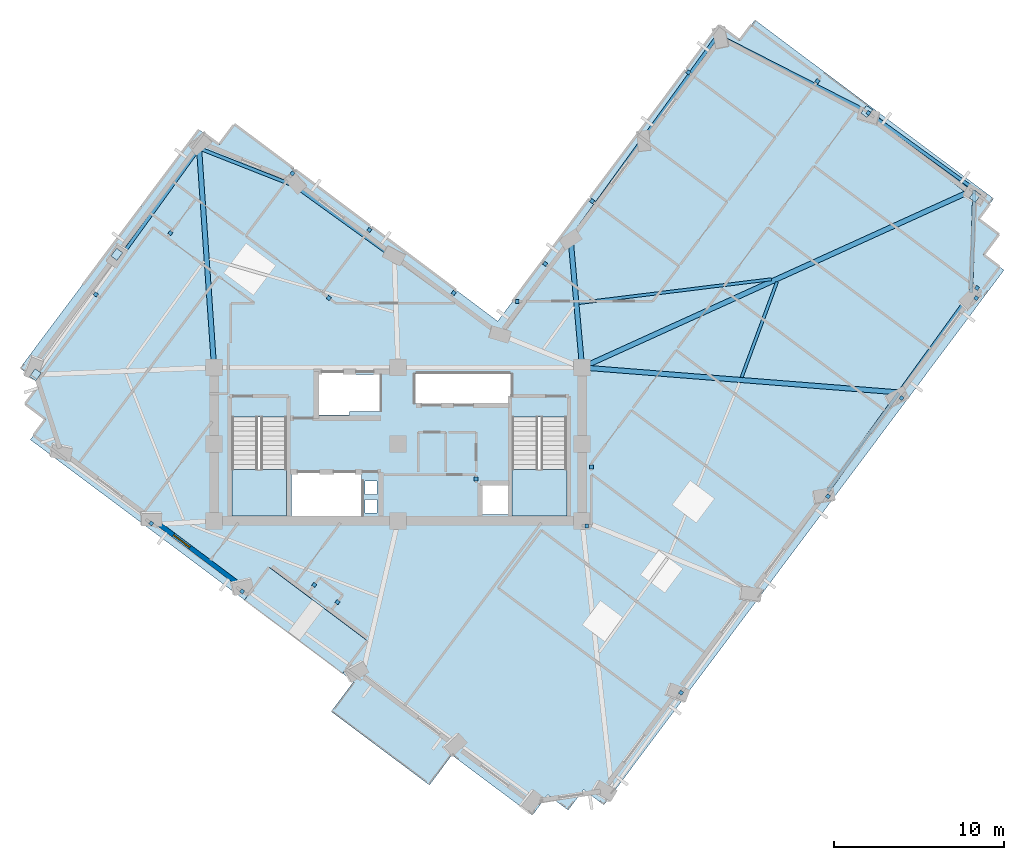
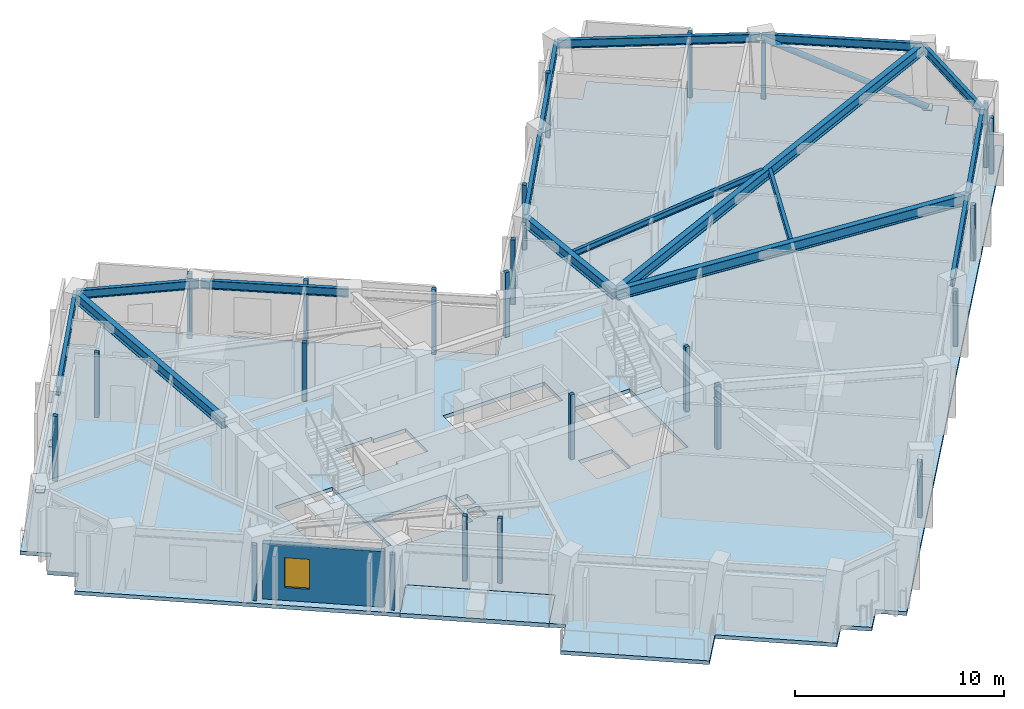
# One storey, part 2 of 12: 28 plates, 16 beams, 4 slabs, 1 member, 1 wall, 1 window, 1 opening, 2 elements without a shape of their own.
"""IFC4 building model written with IfcOpenShell, lengths in metres."""

from ifc_helpers import new_model, si_unit, direction, frame, frame_2d, origin, origin_2d, place, context, subcontext, project, spatial, polyline, rectangle, hollow_circle, i_section, outline, extrude, material, layer, layer_set, material_profile, profile_set, type_object, element, fill, aggregate, save


model = new_model("IFC4")

# Units and contexts
model_context = context("Model", 3, precision=1e-05, world=origin(), true_north=direction((0.0, 1.0)))
body_context = subcontext(model_context, "Body", "Model", "MODEL_VIEW")
ifc_project = project(units=[si_unit("LENGTHUNIT", "METRE"), si_unit("AREAUNIT", "SQUARE_METRE"), si_unit("VOLUMEUNIT", "CUBIC_METRE"), si_unit("PLANEANGLEUNIT", "RADIAN"), si_unit("MASSUNIT", "GRAM", prefix="KILO")], contexts=[model_context])

# Site, building, storey
site_placement = place(None, origin())
site = spatial("IfcSite", under=ifc_project, at=site_placement, CompositionType="ELEMENT")
building_placement = place(site_placement, origin())
building = spatial("IfcBuilding", under=site, at=building_placement, Name="Gaonmaruhae Medical Tower", CompositionType="ELEMENT")
storey_placement = place(building_placement, frame((0.0, 0.0, 251.199951171875)))
storey = spatial("IfcBuildingStorey", under=building, at=storey_placement, Name="L60", CompositionType="ELEMENT", Elevation=251.199951171875)

# Beams
ifc_material_1 = material(Name="Steel SM355", Category="steel")
ifc_material_profile_1 = material_profile(ifc_material_1, i_section(OverallWidth=0.175048828125, OverallDepth=0.35009765625, WebThickness=0.007080078125, FlangeThickness=0.010986328125, FilletRadius=0.012939453125, at=origin_2d()), Name="H-350x175x7x11")
ifc_profile_set_1 = profile_set([ifc_material_profile_1], Name="Steel SM355")
beam_type_1 = type_object("IfcBeamType", Name="FJ-02 Upper Zone Ward Floor Joist (H-350x175x7x11)", PredefinedType="JOIST", material=ifc_profile_set_1)
beam_1_placement = place(storey_placement, frame((44.962158203125, 16.219482421875, 3.60498046875), z_axis=(0.347544482769, 0.937663496408, 0.0), x_axis=(-0.937663496408, 0.347544482769, 0.0)))
element("IfcBeam", 1, at=beam_1_placement, inside=storey, type_object=beam_type_1, Name="L60 Secondary Floor Joist FJ03", PredefinedType="JOIST", context=body_context, shape_type="SweptSolid", body=[
    extrude(i_section(OverallWidth=0.175048828125, OverallDepth=0.35009765625, WebThickness=0.007080078125, FlangeThickness=0.010986328125, FilletRadius=0.012939453125, at=origin_2d()), origin(), (0.0, 0.0, 1.0), 5.977294921875),
])
beam_2_placement = place(storey_placement, frame((46.717529296875, 21.97900390625, 3.60498046875), z_axis=(-0.992484345896, -0.122371659918, 0.0), x_axis=(0.122371659918, -0.992484345896, 0.0)))
element("IfcBeam", 2, at=beam_2_placement, inside=storey, type_object=beam_type_1, Name="L60 Secondary Floor Joist FJ04", PredefinedType="JOIST", context=body_context, shape_type="SweptSolid", body=[
    extrude(i_section(OverallWidth=0.175048828125, OverallDepth=0.35009765625, WebThickness=0.007080078125, FlangeThickness=0.010986328125, FilletRadius=0.012939453125, at=origin_2d()), origin(), (0.0, 0.0, 1.0), 11.3837890625),
])

# Member
ifc_material_profile_2 = material_profile(ifc_material_1, hollow_circle(Radius=0.1591796875, WallThickness=0.01025390625, at=origin_2d()), Name="CHS-318.5x10.3")
ifc_profile_set_2 = profile_set([ifc_material_profile_2], Name="Steel SM355")
member_type = type_object("IfcMemberType", Name="PB-03 Perimeter Solid-Bay Tube Brace Upper (CHS-318.5x10.3)", PredefinedType="BRACE", material=ifc_profile_set_2)
member_placement = place(storey_placement, frame((58.66748046875, 26.840576171875, 0.25), z_axis=(-0.729306251308, 0.571512476792, 0.376146089536), x_axis=(-0.616810836371, -0.787111422948, 0.0)))
element("IfcMember", 3, at=member_placement, inside=storey, type_object=member_type, Name="L60 Perimeter Tube Solid-Bay Brace E01-E02", PredefinedType="BRACE", context=body_context, shape_type="SweptSolid", body=[
    extrude(hollow_circle(Radius=0.1591796875, WallThickness=0.01025390625, at=origin_2d()), origin(), (0.0, 0.0, 1.0), 8.72021484375),
])

# Beams
ifc_material_2 = material(Name="Steel SM420", Category="steel")
ifc_material_profile_3 = material_profile(ifc_material_2, i_section(OverallWidth=0.300048828125, OverallDepth=0.60009765625, WebThickness=0.011962890625, FlangeThickness=0.02001953125, FilletRadius=0.012939453125, at=origin_2d()), Name="H-600x300x12x20")
ifc_profile_set_3 = profile_set([ifc_material_profile_3], Name="Steel SM420")
beam_type_2 = type_object("IfcBeamType", Name="PG-04 Zone 4 Radial Floor Girder (H-600x300x12x20)", PredefinedType="BEAM", material=ifc_profile_set_3)
beam_3_placement = place(storey_placement, frame((35.64990234375, 16.796142578125, 3.47998046875), z_axis=(0.996917906426, -0.07845181863, 0.0), x_axis=(0.07845181863, 0.996917906426, 0.0)))
element("IfcBeam", 4, at=beam_3_placement, inside=storey, type_object=beam_type_2, Name="L60 Radial Primary Girder S05", PredefinedType="BEAM", context=body_context, shape_type="SweptSolid", body=[
    extrude(i_section(OverallWidth=0.300048828125, OverallDepth=0.60009765625, WebThickness=0.011962890625, FlangeThickness=0.02001953125, FilletRadius=0.012939453125, at=origin_2d()), origin(), (0.0, 0.0, 1.0), 18.569091796875),
])
beam_4_placement = place(storey_placement, frame((35.6455078125, 16.820556640625, 3.47998046875), z_axis=(0.910547596795, 0.413404250063, 0.0), x_axis=(-0.413404250063, 0.910547596795, 0.0)))
element("IfcBeam", 5, at=beam_4_placement, inside=storey, type_object=beam_type_2, Name="L60 Radial Primary Girder E01", PredefinedType="BEAM", context=body_context, shape_type="SweptSolid", body=[
    extrude(i_section(OverallWidth=0.300048828125, OverallDepth=0.60009765625, WebThickness=0.011962890625, FlangeThickness=0.02001953125, FilletRadius=0.012939453125, at=origin_2d()), origin(), (0.0, 0.0, 1.0), 25.19287109375),
])
beam_5_placement = place(storey_placement, frame((35.595458984375, 16.849853515625, 3.47998046875), z_axis=(-0.08878068093, 0.996051198831, 0.0), x_axis=(-0.996051198831, -0.08878068093, 0.0)))
element("IfcBeam", 6, at=beam_5_placement, inside=storey, type_object=beam_type_2, Name="L60 Radial Primary Girder EN02", PredefinedType="BEAM", context=body_context, shape_type="SweptSolid", body=[
    extrude(i_section(OverallWidth=0.300048828125, OverallDepth=0.60009765625, WebThickness=0.011962890625, FlangeThickness=0.02001953125, FilletRadius=0.012939453125, at=origin_2d()), origin(), (0.0, 0.0, 1.0), 7.46337890625),
])
beam_6_placement = place(storey_placement, frame((13.99658203125, 16.849853515625, 3.47998046875), z_axis=(-0.068225877056, 0.997669900167, 0.0), x_axis=(-0.997669900167, -0.068225877056, 0.0)))
element("IfcBeam", 7, at=beam_6_placement, inside=storey, type_object=beam_type_2, Name="L60 Radial Primary Girder N01", PredefinedType="BEAM", context=body_context, shape_type="SweptSolid", body=[
    extrude(i_section(OverallWidth=0.300048828125, OverallDepth=0.60009765625, WebThickness=0.011962890625, FlangeThickness=0.02001953125, FilletRadius=0.012939453125, at=origin_2d()), origin(), (0.0, 0.0, 1.0), 12.79638671875),
])
ifc_material_profile_4 = material_profile(ifc_material_1, i_section(OverallWidth=0.199951171875, OverallDepth=0.5, WebThickness=0.010009765625, FlangeThickness=0.01611328125, FilletRadius=0.012939453125, at=origin_2d()), Name="H-500x200x10x16")
ifc_profile_set_4 = profile_set([ifc_material_profile_4], Name="Steel SM355")
beam_type_3 = type_object("IfcBeamType", Name="SP-02 Upper Perimeter Spandrel Beam (H-500x200x10x16)", PredefinedType="SPANDREL", material=ifc_profile_set_4)
beam_7_placement = place(storey_placement, frame((50.018310546875, 9.53173828125, 3.530029296875), z_axis=(0.585657048586, 0.810558956179, 0.0), x_axis=(-0.810558956179, 0.585657048586, 0.0)))
element("IfcBeam", 8, at=beam_7_placement, inside=storey, type_object=beam_type_3, Name="L60 Perimeter Spandrel Beam S04-S05", PredefinedType="SPANDREL", context=body_context, shape_type="SweptSolid", body=[
    extrude(i_section(OverallWidth=0.199951171875, OverallDepth=0.5, WebThickness=0.010009765625, FlangeThickness=0.01611328125, FilletRadius=0.012939453125, at=origin_2d()), origin(), (0.0, 0.0, 1.0), 7.1201171875),
])
beam_8_placement = place(storey_placement, frame((54.235107421875, 15.367919921875, 3.530029296875), z_axis=(0.585673326263, 0.810547194742, 0.0), x_axis=(-0.810547194742, 0.585673326263, 0.0)))
element("IfcBeam", 9, at=beam_8_placement, inside=storey, type_object=beam_type_3, Name="L60 Perimeter Spandrel Beam S05-S06", PredefinedType="SPANDREL", context=body_context, shape_type="SweptSolid", body=[
    extrude(i_section(OverallWidth=0.199951171875, OverallDepth=0.5, WebThickness=0.010009765625, FlangeThickness=0.01611328125, FilletRadius=0.012939453125, at=origin_2d()), origin(), (0.0, 0.0, 1.0), 7.119873046875),
])
beam_9_placement = place(storey_placement, frame((58.429931640625, 21.21142578125, 3.530029296875), z_axis=(0.033119983615, 0.999451382852, 0.0), x_axis=(-0.999451382852, 0.033119983615, 0.0)))
element("IfcBeam", 10, at=beam_9_placement, inside=storey, type_object=beam_type_3, Name="L60 Perimeter Spandrel Beam S06-E01", PredefinedType="SPANDREL", context=body_context, shape_type="SweptSolid", body=[
    extrude(i_section(OverallWidth=0.199951171875, OverallDepth=0.5, WebThickness=0.010009765625, FlangeThickness=0.01611328125, FilletRadius=0.012939453125, at=origin_2d()), origin(), (0.0, 0.0, 1.0), 6.0078125),
])
beam_10_placement = place(storey_placement, frame((58.597900390625, 27.279296875, 3.530029296875), z_axis=(-0.810548287098, 0.585671814485, 0.0), x_axis=(-0.585671814485, -0.810548287098, 0.0)))
element("IfcBeam", 11, at=beam_10_placement, inside=storey, type_object=beam_type_3, Name="L60 Perimeter Spandrel Beam E01-E02", PredefinedType="SPANDREL", context=body_context, shape_type="SweptSolid", body=[
    extrude(i_section(OverallWidth=0.199951171875, OverallDepth=0.5, WebThickness=0.010009765625, FlangeThickness=0.01611328125, FilletRadius=0.012939453125, at=origin_2d()), origin(), (0.0, 0.0, 1.0), 7.72021484375),
])
beam_11_placement = place(storey_placement, frame((52.272216796875, 31.84228515625, 3.530029296875), z_axis=(-0.890531774204, 0.454921047143, 0.0), x_axis=(-0.454921047143, -0.890531774204, 0.0)))
element("IfcBeam", 12, at=beam_11_placement, inside=storey, type_object=beam_type_3, Name="L60 Perimeter Spandrel Beam E02-E03", PredefinedType="SPANDREL", context=body_context, shape_type="SweptSolid", body=[
    extrude(i_section(OverallWidth=0.199951171875, OverallDepth=0.5, WebThickness=0.010009765625, FlangeThickness=0.01611328125, FilletRadius=0.012939453125, at=origin_2d()), origin(), (0.0, 0.0, 1.0), 9.735107421875),
])
beam_12_placement = place(storey_placement, frame((43.543701171875, 36.2568359375, 3.530029296875), z_axis=(-0.585665950358, -0.810552524265, 0.0), x_axis=(0.810552524265, -0.585665950358, 0.0)))
element("IfcBeam", 13, at=beam_12_placement, inside=storey, type_object=beam_type_3, Name="L60 Perimeter Spandrel Beam E03-EN01", PredefinedType="SPANDREL", context=body_context, shape_type="SweptSolid", body=[
    extrude(i_section(OverallWidth=0.199951171875, OverallDepth=0.5, WebThickness=0.010009765625, FlangeThickness=0.01611328125, FilletRadius=0.012939453125, at=origin_2d()), origin(), (0.0, 0.0, 1.0), 7.47021484375),
])
for number, where, z_axis, x_axis, name in (
    (14, (39.121826171875, 30.13720703125, 3.530029296875), (-0.585657048586, -0.810558956179, 0.0), (0.810558956179, -0.585657048586, 0.0), "L60 Perimeter Spandrel Beam EN01-EN02"),
    (15, (24.5439453125, 23.262451171875, 3.530029296875), (-0.81054267885, 0.585679576016, 0.0), (-0.585679576016, -0.81054267885, 0.0), "L60 Perimeter Spandrel Beam NE01-NE02"),
):
    element("IfcBeam", number, at=place(storey_placement, frame(where, z_axis=z_axis, x_axis=x_axis)), inside=storey, type_object=beam_type_3, Name=name, PredefinedType="SPANDREL", context=body_context, shape_type="SweptSolid", body=[
        extrude(i_section(OverallWidth=0.199951171875, OverallDepth=0.5, WebThickness=0.010009765625, FlangeThickness=0.01611328125, FilletRadius=0.012939453125, at=origin_2d()), origin(), (0.0, 0.0, 1.0), 7.1201171875),
    ])
beam_13_placement = place(storey_placement, frame((18.703125, 27.470458984375, 3.530029296875), z_axis=(-0.930608506536, 0.366016130195, 0.0), x_axis=(-0.366016130195, -0.930608506536, 0.0)))
element("IfcBeam", 16, at=beam_13_placement, inside=storey, type_object=beam_type_3, Name="L60 Perimeter Spandrel Beam NE02-N01", PredefinedType="SPANDREL", context=body_context, shape_type="SweptSolid", body=[
    extrude(i_section(OverallWidth=0.199951171875, OverallDepth=0.5, WebThickness=0.010009765625, FlangeThickness=0.01611328125, FilletRadius=0.012939453125, at=origin_2d()), origin(), (0.0, 0.0, 1.0), 5.959228515625),
])
beam_14_placement = place(storey_placement, frame((13.0966796875, 29.6337890625, 3.530029296875), z_axis=(-0.585660692809, -0.810556323088, 0.0), x_axis=(0.810556323088, -0.585660692809, 0.0)))
element("IfcBeam", 17, at=beam_14_placement, inside=storey, type_object=beam_type_3, Name="L60 Perimeter Spandrel Beam N01-N02", PredefinedType="SPANDREL", context=body_context, shape_type="SweptSolid", body=[
    extrude(i_section(OverallWidth=0.199951171875, OverallDepth=0.5, WebThickness=0.010009765625, FlangeThickness=0.01611328125, FilletRadius=0.012939453125, at=origin_2d()), origin(), (0.0, 0.0, 1.0), 8.1201171875),
])

# Slab
ifc_material_3 = material(Name="Concrete C40/50", Category="concrete")
ifc_layer_1 = layer(ifc_material_3, 0.219970703125)
ifc_layer_set_1 = layer_set([ifc_layer_1], Name="Concrete C40/50")
slab_type_1 = type_object("IfcSlabType", Name="FS-220 Clinical Ward Composite Floor Slab", PredefinedType="FLOOR", material=ifc_layer_set_1)
slab_1_placement = place(storey_placement, frame((0.0, 0.0, -0.219970703125)))
element("IfcSlab", 18, at=slab_1_placement, inside=storey, type_object=slab_type_1, Name="L60 Structural Slab 1", PredefinedType="FLOOR", context=body_context, shape_type="SweptSolid", body=[
    extrude(outline(polyline([(4.11328125, 13.763916015625), (2.912353515625, 14.66259765625), (3.810791015625, 15.86376953125), (2.60986328125, 16.76220703125), (13.0927734375, 30.77490234375), (14.293701171875, 29.87646484375), (15.1923828125, 31.077392578125), (30.646484375, 19.516357421875), (43.645263671875, 36.892333984375), (44.846435546875, 35.99365234375), (45.744873046875, 37.19482421875), (59.7578125, 26.7119140625), (58.859130859375, 25.5107421875), (60.060302734375, 24.6123046875), (59.16162109375, 23.4111328125), (60.36279296875, 22.5126953125), (36.881103515625, -8.8759765625), (35.679931640625, -7.9775390625), (34.781494140625, -9.1787109375), (33.580322265625, -8.280029296875), (32.681884765625, -9.481201171875), (27.95751953125, -5.947021484375), (26.6396484375, -7.70849609375), (20.87451171875, -3.3955078125), (22.192138671875, -1.6337890625), (21.5517578125, -1.15478515625), (22.9892578125, 0.76708984375), (17.22412109375, 5.080078125), (15.786376953125, 3.158203125), (3.21484375, 12.56298828125), (4.11328125, 13.763916015625)]), holes=[polyline([(23.550048828125, 8.25), (22.85009765625, 8.25), (22.85009765625, 9.050048828125), (23.550048828125, 9.050048828125), (23.550048828125, 8.25)]), polyline([(31.425048828125, 9.925048828125), (31.425048828125, 8.175048828125), (29.574951171875, 8.175048828125), (29.574951171875, 9.925048828125), (31.425048828125, 9.925048828125)]), polyline([(22.64990234375, 10.625), (22.64990234375, 8.074951171875), (18.550048828125, 8.074951171875), (18.550048828125, 10.625), (22.64990234375, 10.625)]), polyline([(23.550048828125, 9.35009765625), (22.85009765625, 9.35009765625), (22.85009765625, 10.14990234375), (23.550048828125, 10.14990234375), (23.550048828125, 9.35009765625)]), polyline([(15.050048828125, 13.889892578125), (18.25, 13.889892578125), (18.25, 8.300048828125), (15.050048828125, 8.300048828125), (15.050048828125, 13.889892578125)]), polyline([(31.5, 13.889892578125), (34.699951171875, 13.889892578125), (34.699951171875, 8.300048828125), (31.5, 8.300048828125), (31.5, 13.889892578125)]), polyline([(21.949951171875, 14.22509765625), (21.949951171875, 14.02490234375), (19.949951171875, 14.02490234375), (19.949951171875, 16.574951171875), (21.949951171875, 16.574951171875), (21.949951171875, 16.375), (23.72509765625, 16.375), (23.72509765625, 14.22509765625), (21.949951171875, 14.22509765625)]), polyline([(31.425048828125, 16.425048828125), (31.425048828125, 14.675048828125), (25.824951171875, 14.675048828125), (25.824951171875, 16.425048828125), (31.425048828125, 16.425048828125)])]), origin(), (0.0, 0.0, 1.0), 0.219970703125),
])

# Plates
ifc_material_4 = material(Name="Steel HSA650 (650 MPa)", Category="steel")
ifc_layer_2 = layer(ifc_material_4, 0.028076171875)
ifc_layer_set_2 = layer_set([ifc_layer_2], Name="Steel HSA650 (650 MPa)")
plate_type_1 = type_object("IfcPlateType", Name="GP-02 Tube Brace End Cap Gusset Plate", PredefinedType="USERDEFINED", material=ifc_layer_set_2)
for number, where, z_axis, x_axis, name in (
    (19, (58.66748046875, 26.840576171875, 0.23583984375), (0.0, 0.0, 1.0), (0.599023598516, 0.800731370949, 0.0), "L60 Gusset Cap Plate PLT-L60-PBR-E01A"),
    (20, (52.307861328125, 31.82421875, 3.51611328125), (0.0, 0.0, 1.0), (0.585665238866, 0.810553038353, 0.0), "L60 Gusset Cap Plate PLT-L60-PBR-E01B"),
    (21, (8.291748046875, 23.439208984375, 0.23583984375), (0.0, 0.0, 1.0), (0.599023598516, 0.800731370949, 0.0), "L60 Gusset Cap Plate PLT-L60-PBR-N02A"),
    (22, (3.51513671875, 16.373046875, 3.51611328125), (0.0, 0.0, 1.0), (0.585665238866, 0.810553038353, 0.0), "L60 Gusset Cap Plate PLT-L60-PBR-N02B"),
):
    element("IfcPlate", number, at=place(storey_placement, frame(where, z_axis=z_axis, x_axis=x_axis)), inside=storey, type_object=plate_type_1, Name=name, ObjectType="GUSSET_PLATE", PredefinedType="USERDEFINED", context=body_context, shape_type="SweptSolid", body=[
        extrude(rectangle(XDim=0.56005859375, YDim=0.43994140625, at=origin_2d()), origin(), (0.0, 0.0, 1.0), 0.028076171875),
    ])
ifc_material_5 = material(Name="Anodised aluminium 6063-T6", Category="aluminium")
ifc_layer_3 = layer(ifc_material_5, 0.011962890625)
ifc_layer_set_3 = layer_set([ifc_layer_3], Name="Anodised aluminium 6063-T6")
plate_type_2 = type_object("IfcPlateType", Name="PP-01 Interior Partition Corner Stiffener Plate", PredefinedType="SHEET", material=ifc_layer_set_3)
plate_1_placement = place(storey_placement, frame((29.3798828125, 10.260009765625, 0.0), z_axis=(0.0, 0.0, 1.0), x_axis=(0.0, -1.0, 0.0)))
element("IfcPlate", 23, at=plate_1_placement, inside=storey, type_object=plate_type_2, Name="L60 Partition Corner Stiffener Plate PLT-L60-JGP-PW002", PredefinedType="SHEET", context=body_context, shape_type="SweptSolid", body=[
    extrude(rectangle(XDim=0.219970703125, YDim=0.219970703125, at=origin_2d()), origin(), (0.0, 0.0, 1.0), 3.780029296875),
])
plate_2_placement = place(storey_placement, frame((41.408447265625, -2.2900390625, 0.0), z_axis=(0.0, 0.0, 1.0), x_axis=(-0.598282646199, -0.801285139796, 0.0)))
element("IfcPlate", 24, at=plate_2_placement, inside=storey, type_object=plate_type_2, Name="L60 Partition Corner Stiffener Plate PLT-L60-JGP-PW010", PredefinedType="SHEET", context=body_context, shape_type="SweptSolid", body=[
    extrude(rectangle(XDim=0.219970703125, YDim=0.219970703125, at=origin_2d()), origin(), (0.0, 0.0, 1.0), 3.264892578125),
])
for number, where, z_axis, x_axis, name in (
    (25, (35.875, 7.5, 0.0), (0.0, 0.0, 1.0), (1.0, 0.0, 0.0), "L60 Partition Corner Stiffener Plate PLT-L60-JGP-PW013"),
    (26, (36.14990234375, 10.964111328125, 0.0), (0.0, 0.0, 1.0), (0.0, 1.0, 0.0), "L60 Partition Corner Stiffener Plate PLT-L60-JGP-PW016"),
):
    element("IfcPlate", number, at=place(storey_placement, frame(where, z_axis=z_axis, x_axis=x_axis)), inside=storey, type_object=plate_type_2, Name=name, PredefinedType="SHEET", context=body_context, shape_type="SweptSolid", body=[
        extrude(rectangle(XDim=0.219970703125, YDim=0.219970703125, at=origin_2d()), origin(), (0.0, 0.0, 1.0), 3.780029296875),
    ])
for number, where, z_axis, x_axis, name in (
    (27, (50.033935546875, 9.239501953125, 0.0), (0.0, 0.0, 1.0), (-0.599791969344, -0.800155980738, 0.0), "L60 Partition Corner Stiffener Plate PLT-L60-JGP-PW020"),
    (28, (54.345947265625, 15.0048828125, 0.0), (0.0, 0.0, 1.0), (-0.598785990371, -0.80090906958, 0.0), "L60 Partition Corner Stiffener Plate PLT-L60-JGP-PW025"),
):
    element("IfcPlate", number, at=place(storey_placement, frame(where, z_axis=z_axis, x_axis=x_axis)), inside=storey, type_object=plate_type_2, Name=name, PredefinedType="SHEET", context=body_context, shape_type="SweptSolid", body=[
        extrude(rectangle(XDim=0.219970703125, YDim=0.219970703125, at=origin_2d()), origin(), (0.0, 0.0, 1.0), 3.264892578125),
    ])
plate_3_placement = place(storey_placement, frame((58.781005859375, 21.466552734375, 0.0), z_axis=(0.0, 0.0, 1.0), x_axis=(0.800752280329, -0.598995647353, 0.0)))
element("IfcPlate", 29, at=plate_3_placement, inside=storey, type_object=plate_type_2, Name="L60 Partition Corner Stiffener Plate PLT-L60-JGP-PW028", PredefinedType="SHEET", context=body_context, shape_type="SweptSolid", body=[
    extrude(rectangle(XDim=0.219970703125, YDim=0.219970703125, at=origin_2d()), origin(), (0.0, 0.0, 1.0), 3.780029296875),
])
for number, where, z_axis, x_axis, name in (
    (30, (58.732421875, 20.867919921875, 0.0), (0.0, 0.0, 1.0), (-0.599051548948, -0.800710460593, 0.0), "L60 Partition Corner Stiffener Plate PLT-L60-JGP-PW029"),
    (31, (52.407470703125, 31.735595703125, 0.0), (0.0, 0.0, 1.0), (0.800459460228, -0.599386897197, 0.0), "L60 Partition Corner Stiffener Plate PLT-L60-JGP-PW034"),
):
    element("IfcPlate", number, at=place(storey_placement, frame(where, z_axis=z_axis, x_axis=x_axis)), inside=storey, type_object=plate_type_2, Name=name, PredefinedType="SHEET", context=body_context, shape_type="SweptSolid", body=[
        extrude(rectangle(XDim=0.219970703125, YDim=0.219970703125, at=origin_2d()), origin(), (0.0, 0.0, 1.0), 3.264892578125),
    ])
for number, where, z_axis, x_axis, name in (
    (32, (21.243896484375, 3.02490234375, 0.0), (0.0, 0.0, 1.0), (0.599386897197, 0.800459460228, 0.0), "L60 Partition Corner Stiffener Plate PLT-L60-JGP-PW042"),
    (33, (19.883056640625, 4.04345703125, 0.0), (0.0, 0.0, 1.0), (-0.598939742838, -0.800794096163, 0.0), "L60 Partition Corner Stiffener Plate PLT-L60-JGP-PW044"),
):
    element("IfcPlate", number, at=place(storey_placement, frame(where, z_axis=z_axis, x_axis=x_axis)), inside=storey, type_object=plate_type_2, Name=name, PredefinedType="SHEET", context=body_context, shape_type="SweptSolid", body=[
        extrude(rectangle(XDim=0.219970703125, YDim=0.219970703125, at=origin_2d()), origin(), (0.0, 0.0, 1.0), 3.780029296875),
    ])
for number, where, z_axis, x_axis, name in (
    (34, (15.64990234375, 3.659423828125, 0.0), (0.0, 0.0, 1.0), (-0.800584977969, 0.599219236215, 0.0), "L60 Partition Corner Stiffener Plate PLT-L60-JGP-PW047"),
    (35, (10.3154296875, 7.650390625, 0.0), (0.0, 0.0, 1.0), (-0.800762734653, 0.598981671498, 0.0), "L60 Partition Corner Stiffener Plate PLT-L60-JGP-PW049"),
):
    element("IfcPlate", number, at=place(storey_placement, frame(where, z_axis=z_axis, x_axis=x_axis)), inside=storey, type_object=plate_type_2, Name=name, PredefinedType="SHEET", context=body_context, shape_type="SweptSolid", body=[
        extrude(rectangle(XDim=0.219970703125, YDim=0.219970703125, at=origin_2d()), origin(), (0.0, 0.0, 1.0), 3.2451171875),
    ])
for number, where, z_axis, x_axis, name in (
    (36, (36.19091796875, 26.56494140625, 0.0), (0.0, 0.0, 1.0), (0.801107590493, -0.598520365948, 0.0), "L60 Partition Corner Stiffener Plate PLT-L60-JGP-PW064"),
    (37, (33.43701171875, 22.883544921875, 0.0), (0.0, 0.0, 1.0), (-0.799998928149, 0.600001429133, 0.0), "L60 Partition Corner Stiffener Plate PLT-L60-JGP-PW069"),
    (38, (41.842529296875, 34.119384765625, 0.0), (0.0, 0.0, 1.0), (0.800825455477, -0.598897812536, 0.0), "L60 Partition Corner Stiffener Plate PLT-L60-JGP-PW075"),
    (39, (49.41357421875, 33.6015625, 0.0), (0.0, 0.0, 1.0), (-0.598254675707, -0.801306023311, 0.0), "L60 Partition Corner Stiffener Plate PLT-L60-JGP-PW079"),
):
    element("IfcPlate", number, at=place(storey_placement, frame(where, z_axis=z_axis, x_axis=x_axis)), inside=storey, type_object=plate_type_2, Name=name, PredefinedType="SHEET", context=body_context, shape_type="SweptSolid", body=[
        extrude(rectangle(XDim=0.219970703125, YDim=0.219970703125, at=origin_2d()), origin(), (0.0, 0.0, 1.0), 3.780029296875),
    ])
plate_4_placement = place(storey_placement, frame((20.735107421875, 20.8740234375, 0.0), z_axis=(0.0, 0.0, 1.0), x_axis=(-0.800731370949, 0.599023598516, 0.0)))
element("IfcPlate", 40, at=plate_4_placement, inside=storey, type_object=plate_type_2, Name="L60 Partition Corner Stiffener Plate PLT-L60-JGP-PW084", PredefinedType="SHEET", context=body_context, shape_type="SweptSolid", body=[
    extrude(rectangle(XDim=0.219970703125, YDim=0.219970703125, at=origin_2d()), origin(), (0.0, 0.0, 1.0), 3.4150390625),
])
for number, where, z_axis, x_axis, name in (
    (41, (23.117431640625, 24.876953125, 0.0), (0.0, 0.0, 1.0), (0.600001429133, 0.799998928149, 0.0), "L60 Partition Corner Stiffener Plate PLT-L60-JGP-PW086"),
    (42, (28.06591796875, 21.175048828125, 0.0), (0.0, 0.0, 1.0), (-0.598520365948, -0.801107590493, 0.0), "L60 Partition Corner Stiffener Plate PLT-L60-JGP-PW088"),
    (43, (18.60107421875, 28.18798828125, 0.0), (0.0, 0.0, 1.0), (0.598827925051, 0.800877716121, 0.0), "L60 Partition Corner Stiffener Plate PLT-L60-JGP-PW091"),
    (44, (7.060546875, 21.08837890625, 0.0), (0.0, 0.0, 1.0), (-0.800584977969, 0.599219236215, 0.0), "L60 Partition Corner Stiffener Plate PLT-L60-JGP-PW098"),
    (45, (11.435546875, 24.6865234375, 0.0), (0.0, 0.0, 1.0), (-0.598995647353, -0.800752280329, 0.0), "L60 Partition Corner Stiffener Plate PLT-L60-JGP-PW101"),
    (46, (31.78857421875, 20.679931640625, 0.0), (0.0, 0.0, 1.0), (-1.0, 0.0, 0.0), "L60 Partition Corner Stiffener Plate PLT-L60-JGP-PW106"),
):
    element("IfcPlate", number, at=place(storey_placement, frame(where, z_axis=z_axis, x_axis=x_axis)), inside=storey, type_object=plate_type_2, Name=name, PredefinedType="SHEET", context=body_context, shape_type="SweptSolid", body=[
        extrude(rectangle(XDim=0.219970703125, YDim=0.219970703125, at=origin_2d()), origin(), (0.0, 0.0, 1.0), 3.780029296875),
    ])

# Stair, slab
stair_type = type_object("IfcStairType", Name="ST-T1 Primary Core Escape Dogleg Stair", PredefinedType="TWO_QUARTER_TURN_STAIR", material=ifc_material_3)
stair_1_placement = place(storey_placement, origin())
stair_1 = element("IfcStair", 47, at=stair_1_placement, inside=storey, type_object=stair_type, Name="L60 Protected Escape Stair ST-01", PredefinedType="TWO_QUARTER_TURN_STAIR")
ifc_layer_4 = layer(ifc_material_3, 0.199951171875)
ifc_layer_set_4 = layer_set([ifc_layer_4], Name="Concrete C40/50")
slab_type_2 = type_object("IfcSlabType", Name="SL-200 Stair & Ramp Intermediate Concrete Landing", PredefinedType="LANDING", material=ifc_layer_set_4)
slab_2_placement = place(storey_placement, frame((0.0, 0.0, 1.800048828125)))
slab_2 = element("IfcSlab", 48, at=slab_2_placement, type_object=slab_type_2, Name="ST-01 landing 1", PredefinedType="LANDING", context=body_context, shape_type="SweptSolid", body=[
    extrude(outline(polyline([(15.050048828125, 10.820068359375), (15.050048828125, 8.0791015625), (18.25, 8.0791015625), (18.25, 10.820068359375), (15.050048828125, 10.820068359375)])), origin(), (0.0, 0.0, 1.0), 0.199951171875),
])
aggregate(stair_1, [slab_2])

stair_2_placement = place(storey_placement, origin())
stair_2 = element("IfcStair", 49, at=stair_2_placement, inside=storey, type_object=stair_type, Name="L60 Protected Escape Stair ST-02", PredefinedType="TWO_QUARTER_TURN_STAIR")
slab_3_placement = place(storey_placement, frame((0.0, 0.0, 1.800048828125)))
slab_3 = element("IfcSlab", 50, at=slab_3_placement, type_object=slab_type_2, Name="ST-02 landing 1", PredefinedType="LANDING", context=body_context, shape_type="SweptSolid", body=[
    extrude(outline(polyline([(31.5, 10.820068359375), (31.5, 8.0791015625), (34.699951171875, 8.0791015625), (34.699951171875, 10.820068359375), (31.5, 10.820068359375)])), origin(), (0.0, 0.0, 1.0), 0.199951171875),
])
aggregate(stair_2, [slab_3])

# Slab
ifc_layer_5 = layer(ifc_material_3, 0.239990234375)
ifc_layer_set_5 = layer_set([ifc_layer_5], Name="Concrete C40/50")
slab_type_3 = type_object("IfcSlabType", Name="TS-240 Sky Garden & Recovery Terrace Slab", PredefinedType="FLOOR", material=ifc_layer_set_5)
slab_4_placement = place(storey_placement, frame((0.0, 0.0, -0.239990234375)))
element("IfcSlab", 51, at=slab_4_placement, inside=storey, type_object=slab_type_3, Name="L60 Outdoor Recovery Terrace Slab", PredefinedType="FLOOR", context=body_context, shape_type="SweptSolid", body=[
    extrude(outline(polyline([(21.5517578125, -1.15478515625), (22.9892578125, 0.76708984375), (17.22412109375, 5.080078125), (15.786376953125, 3.158203125), (21.5517578125, -1.15478515625)])), origin(), (0.0, 0.0, 1.0), 0.239990234375),
])

# Wall, opening, window
ifc_material_6 = material(Name="Precast concrete C45/55", Category="concrete")
ifc_layer_6 = layer(ifc_material_6, 0.280029296875)
ifc_layer_set_6 = layer_set([ifc_layer_6], Name="Precast concrete C45/55")
wall_type = type_object("IfcWallType", Name="EW-280 Upper Precast Masonry-Frame Facade Wall", PredefinedType="SOLIDWALL", material=ifc_layer_set_6)
wall_placement = place(storey_placement, frame((15.459716796875, 4.089599609375, 0.0), z_axis=(0.0, 0.0, 1.0), x_axis=(-0.800744184448, 0.599006469976, 0.0)))
wall = element("IfcWall", 52, at=wall_placement, inside=storey, type_object=wall_type, Name="L60 Precast Masonry-Frame Wall W02-W03", PredefinedType="SOLIDWALL", context=body_context, shape_type="SweptSolid", body=[
    extrude(rectangle(XDim=5.86083984375, YDim=0.280029296875, at=frame_2d((2.930419921875, 0.0))), origin(), (0.0, 0.0, 1.0), 3.2451171875),
])
opening_placement = place(wall_placement, frame((3.60400390625, 0.0, 0.75)))
opening = element("IfcOpeningElement", 53, at=opening_placement, cuts=wall, Name="Opening WN-05", PredefinedType="OPENING", context=body_context, shape_type="SweptSolid", body=[
    extrude(rectangle(XDim=1.199951171875, YDim=1.75, at=frame_2d((0.60009765625, 0.875))), frame((0.0, 0.14990234375, 0.0), z_axis=(0.0, -1.0, 0.0), x_axis=(1.0, 0.0, 0.0)), (0.0, 0.0, 1.0), 0.300048828125),
])
ifc_material_7 = material(Name="Anodised aluminium and Low-E double glazing", Category="aluminium")
window_type = type_object("IfcWindowType", Name="WN-05 Support & Staff Punched Window 1200x1750", PartitioningType="SINGLE_PANEL", PredefinedType="WINDOW", material=ifc_material_7)
window_placement = place(opening_placement, origin())
window = element("IfcWindow", 54, at=window_placement, inside=storey, type_object=window_type, Name="L60 Modular Facade Window W02", OverallHeight=1.75, OverallWidth=1.199951171875, PartitioningType="SINGLE_PANEL", PredefinedType="WINDOW", context=body_context, shape_type="SweptSolid", body=[
    extrude(rectangle(XDim=1.199951171875, YDim=1.75, at=frame_2d((0.60009765625, 0.875))), frame((0.0, 0.030029296875, 0.0), z_axis=(0.0, -1.0, 0.0), x_axis=(1.0, 0.0, 0.0)), (0.0, 0.0, 1.0), 0.06005859375),
])
fill(opening, window)

save(model, "model.ifc")
